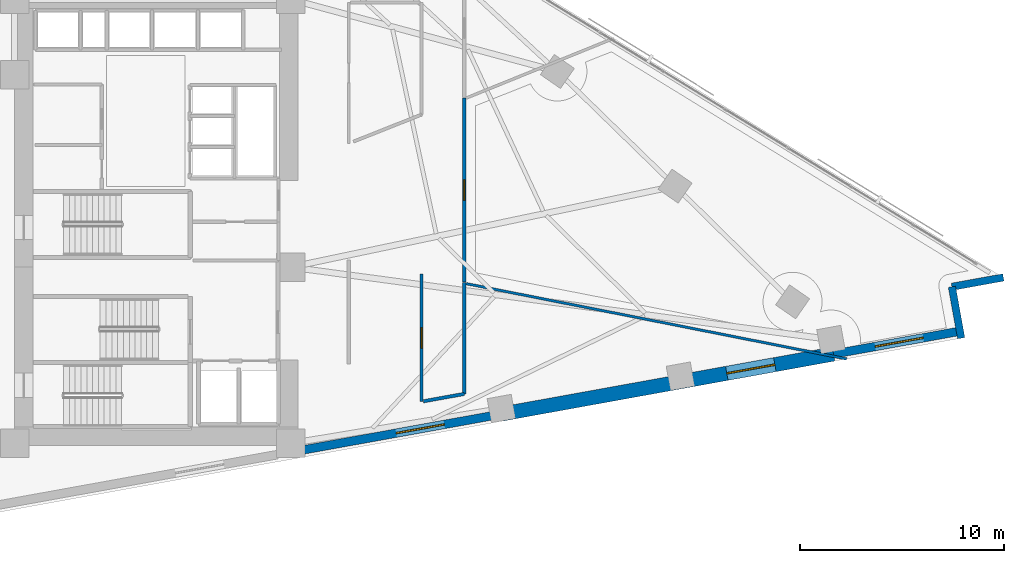
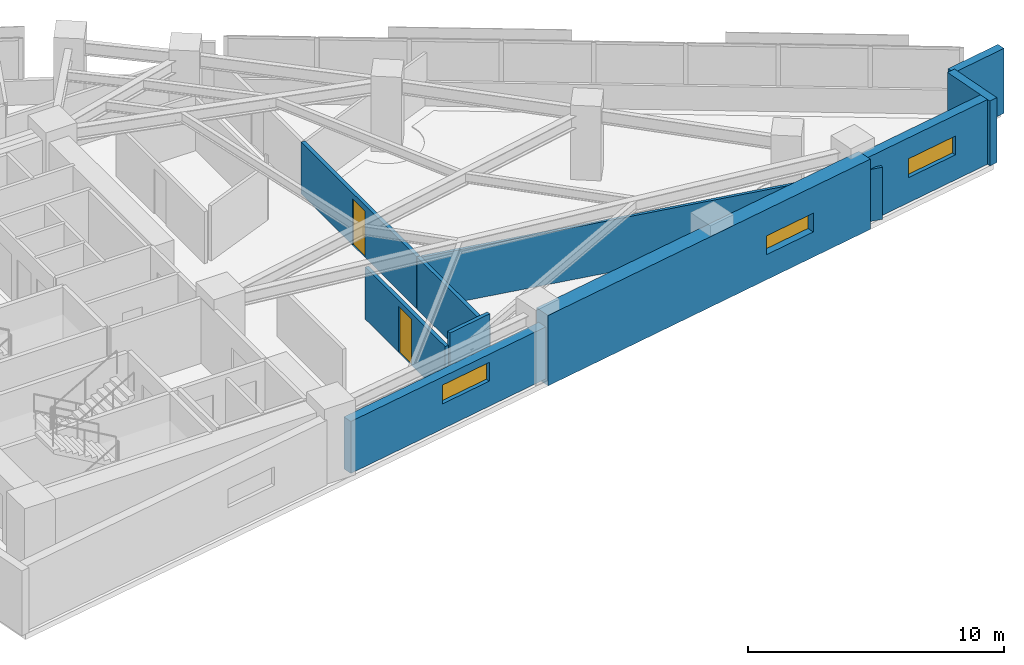
# One storey, part 16 of 20: 10 walls, 3 windows, 2 doors, 5 openings.
"""IFC4 building model written with IfcOpenShell, lengths in metres."""

import ifcopenshell
import ifcopenshell.guid

model = None  # the IFC model being written
_history = None  # IfcOwnerHistory: only IFC2X3 demands one
_inside = {}  # id of a spatial element -> (the spatial element, [elements in it])
_under = {}  # id of a project, library or spatial element -> (it, [spatial elements below it])
_declared = {}  # id of a project -> (the project, [libraries it declares])
_typed = {}  # id of a type object -> (the type object, [elements of that type])
_made_of = {}  # id of a material, layer set ... -> (it, [elements and type objects made of it])


def new_model(schema):
    """Start an empty IFC model of exactly this schema.

    Asked for "IFC4X3", IfcOpenShell would pick the latest addendum, in which some entities
    have other attributes; the version numbers below select the first issue.
    IFC2X3 requires an IfcOwnerHistory on every rooted entity: one is made here for all.
    """
    global model, _history
    if schema == "IFC4X3":
        model = ifcopenshell.file(schema_version=(4, 3, 0, 0))
    else:
        model = ifcopenshell.file(schema=schema)
    _inside.clear()
    _under.clear()
    _declared.clear()
    _typed.clear()
    _made_of.clear()
    _history = None
    if model.schema == "IFC2X3":
        org = make("IfcOrganization", Name="unknown")
        user = make(
            "IfcPersonAndOrganization",
            ThePerson=make("IfcPerson", FamilyName="unknown"),
            TheOrganization=org,
        )
        app = make(
            "IfcApplication",
            ApplicationDeveloper=org,
            Version="unknown",
            ApplicationFullName="unknown",
            ApplicationIdentifier="unknown",
        )
        _history = make(
            "IfcOwnerHistory",
            OwningUser=user,
            OwningApplication=app,
            ChangeAction="ADDED",
            CreationDate=0,
        )
    return model


def make(cls, **values):
    """One entity of the class cls with the attributes given. An attribute that is None is left unset."""
    return model.create_entity(
        cls, **{name: value for name, value in values.items() if value is not None}
    )


def rooted(cls, **values):
    """An entity with a GlobalId (a new one), such as an element, a storey or a relation."""
    return make(cls, GlobalId=ifcopenshell.guid.new(), OwnerHistory=_history, **values)


def si_unit(unit_type, name, prefix=None):
    """IfcSIUnit, for example si_unit("LENGTHUNIT", "METRE", prefix="MILLI")."""
    return make("IfcSIUnit", UnitType=unit_type, Prefix=prefix, Name=name)


def assignment(units):
    """IfcUnitAssignment: the units of a project."""
    return None if units is None else make("IfcUnitAssignment", Units=units)


def point(xyz):
    """IfcCartesianPoint."""
    return None if xyz is None else make("IfcCartesianPoint", Coordinates=xyz)


def direction(xyz):
    """IfcDirection."""
    return None if xyz is None else make("IfcDirection", DirectionRatios=xyz)


def frame(location, z_axis=None, x_axis=None):
    """IfcAxis2Placement3D, a coordinate frame: its origin and axes. An axis left out is left unset."""
    return make(
        "IfcAxis2Placement3D",
        Location=point(location),
        Axis=direction(z_axis),
        RefDirection=direction(x_axis),
    )


def frame_2d(location, x_axis=None):
    """IfcAxis2Placement2D, a coordinate frame in the plane: its origin and x axis."""
    return make(
        "IfcAxis2Placement2D", Location=point(location), RefDirection=direction(x_axis)
    )


def origin():
    """The frame at (0, 0, 0) with its axes left unset."""
    return frame((0.0, 0.0, 0.0))


def place(relative_to, where):
    """IfcLocalPlacement: puts the frame where relative to a parent placement (None: the world)."""
    return make(
        "IfcLocalPlacement", PlacementRelTo=relative_to, RelativePlacement=where
    )


def context(
    kind, dimensions, precision=None, world=None, true_north=None, identifier=None
):
    """IfcGeometricRepresentationContext, for example the 3D "Model" context."""
    return make(
        "IfcGeometricRepresentationContext",
        ContextIdentifier=identifier,
        ContextType=kind,
        CoordinateSpaceDimension=dimensions,
        Precision=precision,
        WorldCoordinateSystem=world,
        TrueNorth=true_north,
    )


def subcontext(parent, identifier, kind, view, scale=None):
    """IfcGeometricRepresentationSubContext, for example "Body" below "Model"."""
    return make(
        "IfcGeometricRepresentationSubContext",
        ContextIdentifier=identifier,
        ContextType=kind,
        ParentContext=parent,
        TargetScale=scale,
        TargetView=view,
    )


def project(units=None, contexts=None):
    """IfcProject with its units and contexts."""
    return rooted(
        "IfcProject",
        Name="project",
        RepresentationContexts=contexts,
        UnitsInContext=assignment(units),
    )


def spatial(cls, under=None, at=None, **own):
    """A site, building, storey or space (cls), placed at a placement, below another one or the project."""
    s = rooted(cls, ObjectPlacement=at, **own)
    if under is not None:
        _under.setdefault(under.id(), (under, []))[1].append(s)
    return s


def profile(cls, at=None, kind="AREA", **sizes):
    """A parametric profile (cls). Its sizes go by their IFC names, for example OverallWidth=200.0."""
    return make(cls, ProfileType=kind, Position=at, **sizes)


def rectangle(**sizes):
    """IfcRectangleProfileDef."""
    return profile("IfcRectangleProfileDef", **sizes)


def extrude(swept, where, along, depth):
    """IfcExtrudedAreaSolid: the profile swept, set in the frame where, extruded along a direction by depth."""
    return make(
        "IfcExtrudedAreaSolid",
        SweptArea=swept,
        Position=where,
        ExtrudedDirection=direction(along),
        Depth=depth,
    )


def shape(context_of_items, identifier, shape_type, items):
    """IfcShapeRepresentation: the items that make up one representation, for example the "Body"."""
    return make(
        "IfcShapeRepresentation",
        ContextOfItems=context_of_items,
        RepresentationIdentifier=identifier,
        RepresentationType=shape_type,
        Items=items,
    )


def material(Name=None, Category=None):
    """IfcMaterial."""
    return make("IfcMaterial", Name=Name, Category=Category)


def layer(
    of_material, thickness, ventilated=None, Name=None, Category=None, Priority=None
):
    """IfcMaterialLayer: one layer of a wall or slab, of a material (None: an air gap)."""
    return make(
        "IfcMaterialLayer",
        Material=of_material,
        LayerThickness=thickness,
        IsVentilated=ventilated,
        Name=Name,
        Category=Category,
        Priority=Priority,
    )


def layer_set(layers, Name=None):
    """IfcMaterialLayerSet."""
    return make("IfcMaterialLayerSet", MaterialLayers=layers, LayerSetName=Name)


def made_of(thing, what):
    """Note that an element or type object is made of a material, layer set ...; save() writes the relation."""
    if what is not None:
        _made_of.setdefault(what.id(), (what, []))[1].append(thing)
    return thing


def type_object(cls, material=None, **own):
    """A type object (cls), such as IfcWallType, which elements share."""
    return made_of(rooted(cls, **own), material)


def element(
    cls,
    number,
    at=None,
    inside=None,
    cuts=None,
    type_object=None,
    material=None,
    context=None,
    identifier="Body",
    shape_type=None,
    held_by="IfcProductDefinitionShape",
    body=None,
    shapes=None,
    **own,
):
    """One element of the class cls, such as IfcWall. Its Tag is "e" and its number.

    at: its placement. inside: the storey or other place that contains it. cuts: it is an
    opening in that element (IfcRelVoidsElement). A single representation is given by context,
    identifier, shape_type and body (its items); several are given by shapes. held_by: the class
    of the entity that holds the representations. save() writes the other relations.
    """
    e = rooted(cls, Tag="e%d" % number, ObjectPlacement=at, **own)
    if body is not None:
        shapes = [shape(context, identifier, shape_type, body)]
    if shapes is not None:
        e.Representation = make(held_by, Representations=shapes)
    if inside is not None:
        _inside.setdefault(inside.id(), (inside, []))[1].append(e)
    if cuts is not None:
        rooted(
            "IfcRelVoidsElement", RelatingBuildingElement=cuts, RelatedOpeningElement=e
        )
    if type_object is not None:
        _typed.setdefault(type_object.id(), (type_object, []))[1].append(e)
    return made_of(e, material)


def fill(opening, filler):
    """IfcRelFillsElement: the door or window that sits in an opening."""
    return rooted(
        "IfcRelFillsElement",
        RelatingOpeningElement=opening,
        RelatedBuildingElement=filler,
    )


def aggregate(whole, parts):
    """IfcRelAggregates: a whole, such as a stair, and the parts it consists of."""
    return rooted("IfcRelAggregates", RelatingObject=whole, RelatedObjects=parts)


def save(model, path):
    """Write the relations noted so far, then the file.

    IfcRelAggregates (storeys below a building ...), IfcRelContainedInSpatialStructure (elements
    in a storey), IfcRelDefinesByType, IfcRelAssociatesMaterial and IfcRelDeclares: one each for
    every whole, place, type object, material and project.
    """
    for whole, parts in _under.values():
        aggregate(whole, parts)
    for where, things in _inside.values():
        rooted(
            "IfcRelContainedInSpatialStructure",
            RelatedElements=things,
            RelatingStructure=where,
        )
    for kind, things in _typed.values():
        rooted("IfcRelDefinesByType", RelatedObjects=things, RelatingType=kind)
    for what, things in _made_of.values():
        rooted("IfcRelAssociatesMaterial", RelatedObjects=things, RelatingMaterial=what)
    for by, libraries in _declared.values():
        rooted("IfcRelDeclares", RelatingContext=by, RelatedDefinitions=libraries)
    model.write(path)


model = new_model("IFC4")

# Units and contexts
model_context = context("Model", 3, precision=1e-05, world=origin(), true_north=direction((0.0, 1.0)))
body_context = subcontext(model_context, "Body", "Model", "MODEL_VIEW")
ifc_project = project(units=[si_unit("LENGTHUNIT", "METRE"), si_unit("AREAUNIT", "SQUARE_METRE"), si_unit("VOLUMEUNIT", "CUBIC_METRE"), si_unit("PLANEANGLEUNIT", "RADIAN"), si_unit("MASSUNIT", "GRAM", prefix="KILO")], contexts=[model_context])

# Site, building, storey
site_placement = place(None, origin())
site = spatial("IfcSite", under=ifc_project, at=site_placement, CompositionType="ELEMENT")
building_placement = place(site_placement, origin())
building = spatial("IfcBuilding", under=site, at=building_placement, Name="Narakoshi Arena Tower", CompositionType="ELEMENT")
storey_placement = place(building_placement, frame((0.0, 0.0, 124.5)))
storey = spatial("IfcBuildingStorey", under=building, at=storey_placement, Name="L33", CompositionType="ELEMENT", Elevation=124.5)

# Wall, opening, door
ifc_material_1 = material(Name="Gypsum plasterboard fire-rated partition")
ifc_layer_1 = layer(ifc_material_1, 0.1650390625)
ifc_layer_set_1 = layer_set([ifc_layer_1], Name="Gypsum plasterboard fire-rated partition")
wall_type_1 = type_object("IfcWallType", Name="WL-CORR-165", PredefinedType="PARTITIONING", material=ifc_layer_set_1)
wall_1_placement = place(storey_placement, frame((91.9736328125, 43.008544921875, 0.0), z_axis=(0.0, 0.0, 1.0), x_axis=(0.0, -1.0, 0.0)))
wall_1 = element("IfcWall", 1, at=wall_1_placement, inside=storey, type_object=wall_type_1, Name="L33 Corridor Partition 02-1", PredefinedType="PARTITIONING", context=body_context, shape_type="SweptSolid", body=[
    extrude(rectangle(XDim=6.25830078125, YDim=0.1650390625, at=frame_2d((3.129150390625, 0.0))), origin(), (0.0, 0.0, 1.0), 2.485107421875),
])
opening_1_placement = place(wall_1_placement, frame((2.629150390625, 0.0, 0.0)))
opening_1 = element("IfcOpeningElement", 2, at=opening_1_placement, cuts=wall_1, Name="Opening D-06", PredefinedType="OPENING", context=body_context, shape_type="SweptSolid", body=[
    extrude(rectangle(XDim=1.0, YDim=2.199951171875, at=frame_2d((0.5, 1.10009765625))), frame((0.0, 0.092529296875, 0.0), z_axis=(0.0, -1.0, 0.0), x_axis=(1.0, 0.0, 0.0)), (0.0, 0.0, 1.0), 0.18505859375),
])
ifc_material_2 = material(Name="Stained oak solid-core timber", Category="wood")
door_type = type_object("IfcDoorType", Name="DR-OFF-1000", OperationType="NOTDEFINED", PredefinedType="DOOR", material=ifc_material_2)
door_1_placement = place(opening_1_placement, frame((1.0, 0.0, 0.0), z_axis=(0.0, 0.0, 1.0), x_axis=(-1.0, 0.0, 0.0)))
door_1 = element("IfcDoor", 3, at=door_1_placement, inside=storey, type_object=door_type, Name="DR-L33-015", OperationType="SINGLE_SWING_RIGHT", OverallHeight=2.199951171875, OverallWidth=1.0, PredefinedType="DOOR", context=body_context, shape_type="SweptSolid", body=[
    extrude(rectangle(XDim=1.0, YDim=2.199951171875, at=frame_2d((0.5, 1.10009765625))), frame((0.0, 0.02490234375, 0.0), z_axis=(0.0, -1.0, 0.0), x_axis=(1.0, 0.0, 0.0)), (0.0, 0.0, 1.0), 0.050048828125),
])
fill(opening_1, door_1)

# Walls
wall_2_placement = place(storey_placement, frame((94.07373046875, 37.130126953125, 0.0), z_axis=(0.0, 0.0, 1.0), x_axis=(0.0, 1.0, 0.0)))
element("IfcWall", 4, at=wall_2_placement, inside=storey, type_object=wall_type_1, Name="L33 Corridor Partition 02-2", PredefinedType="PARTITIONING", context=body_context, shape_type="SweptSolid", body=[
    extrude(rectangle(XDim=5.46728515625, YDim=0.1650390625, at=frame_2d((2.733642578125, 0.0))), origin(), (0.0, 0.0, 1.0), 2.485107421875),
])
wall_3_placement = place(storey_placement, frame((92.068115234375, 36.767333984375, 0.0), z_axis=(0.0, 0.0, 1.0), x_axis=(0.984030502169, 0.177999917982, 0.0)))
element("IfcWall", 5, at=wall_3_placement, inside=storey, type_object=wall_type_1, Name="L33 Corridor Partition 02-4", PredefinedType="PARTITIONING", context=body_context, shape_type="SweptSolid", body=[
    extrude(rectangle(XDim=2.0380859375, YDim=0.1650390625, at=frame_2d((1.01904296875, 0.0))), origin(), (0.0, 0.0, 1.0), 3.10009765625),
])

# Wall, opening, door
wall_4_placement = place(storey_placement, frame((94.07373046875, 42.621826171875, 0.0), z_axis=(0.0, 0.0, 1.0), x_axis=(0.0, 1.0, 0.0)))
wall_4 = element("IfcWall", 6, at=wall_4_placement, inside=storey, type_object=wall_type_1, Name="L33 Corridor Partition 03-1", PredefinedType="PARTITIONING", context=body_context, shape_type="SweptSolid", body=[
    extrude(rectangle(XDim=9.028076171875, YDim=0.1650390625, at=frame_2d((4.51416015625, 0.0))), origin(), (0.0, 0.0, 1.0), 2.485107421875),
])
opening_2_placement = place(wall_4_placement, frame((4.013916015625, 0.0, 0.0)))
opening_2 = element("IfcOpeningElement", 7, at=opening_2_placement, cuts=wall_4, Name="Opening D-06", PredefinedType="OPENING", context=body_context, shape_type="SweptSolid", body=[
    extrude(rectangle(XDim=1.0, YDim=2.199951171875, at=frame_2d((0.5, 1.10009765625))), frame((0.0, 0.092529296875, 0.0), z_axis=(0.0, -1.0, 0.0), x_axis=(1.0, 0.0, 0.0)), (0.0, 0.0, 1.0), 0.18505859375),
])
door_2_placement = place(opening_2_placement, frame((1.0, 0.0, 0.0), z_axis=(0.0, 0.0, 1.0), x_axis=(-1.0, 0.0, 0.0)))
door_2 = element("IfcDoor", 8, at=door_2_placement, inside=storey, type_object=door_type, Name="DR-L33-016", OperationType="SINGLE_SWING_LEFT", OverallHeight=2.199951171875, OverallWidth=1.0, PredefinedType="DOOR", context=body_context, shape_type="SweptSolid", body=[
    extrude(rectangle(XDim=1.0, YDim=2.199951171875, at=frame_2d((0.5, 1.10009765625))), frame((0.0, 0.02490234375, 0.0), z_axis=(0.0, -1.0, 0.0), x_axis=(1.0, 0.0, 0.0)), (0.0, 0.0, 1.0), 0.050048828125),
])
fill(opening_2, door_2)

# Wall, opening, window
ifc_material_3 = material(Name="Concrete C60/75", Category="concrete")
ifc_layer_2 = layer(ifc_material_3, 0.699951171875)
ifc_layer_set_2 = layer_set([ifc_layer_2], Name="Concrete C60/75")
wall_type_2 = type_object("IfcWallType", Name="WL-LEG-700", PredefinedType="SHEAR", material=ifc_layer_set_2)
wall_5_placement = place(storey_placement, frame((95.93798828125, 36.14599609375, -0.260009765625), z_axis=(0.0, 0.0, 1.0), x_axis=(0.984038488288, 0.177955762952, 0.0)))
wall_5 = element("IfcWall", 9, at=wall_5_placement, inside=storey, type_object=wall_type_2, Name="L33 Architectural Concrete Structural Wall LEGA-3", PredefinedType="SHEAR", context=body_context, shape_type="SweptSolid", body=[
    extrude(rectangle(XDim=16.524658203125, YDim=0.699951171875, at=frame_2d((8.26220703125, 0.0))), origin(), (0.0, 0.0, 1.0), 3.360107421875),
])
opening_3_placement = place(wall_5_placement, frame((11.199951171875, 0.0, 1.199951171875)))
opening_3 = element("IfcOpeningElement", 10, at=opening_3_placement, cuts=wall_5, Name="Opening WN-01", PredefinedType="OPENING", context=body_context, shape_type="SweptSolid", body=[
    extrude(rectangle(XDim=2.39990234375, YDim=0.89990234375, at=frame_2d((1.199951171875, 0.449951171875))), frame((0.0, 0.35986328125, 0.0), z_axis=(0.0, -1.0, 0.0), x_axis=(1.0, 0.0, 0.0)), (0.0, 0.0, 1.0), 0.719970703125),
])
ifc_material_4 = material(Name="Bronze-tinted low-E laminated glass", Category="glass")
window_type = type_object("IfcWindowType", Name="WIN-SLT-24x09", PartitioningType="SINGLE_PANEL", PredefinedType="WINDOW", material=ifc_material_4)
window_1_placement = place(opening_3_placement, origin())
window_1 = element("IfcWindow", 11, at=window_1_placement, inside=storey, type_object=window_type, Name="L33 LEGA3 Horizontal Slot Window 1", OverallHeight=0.89990234375, OverallWidth=2.39990234375, PartitioningType="SINGLE_PANEL", PredefinedType="WINDOW", context=body_context, shape_type="SweptSolid", body=[
    extrude(rectangle(XDim=2.39990234375, YDim=0.89990234375, at=frame_2d((1.199951171875, 0.449951171875))), frame((0.0, 0.030029296875, 0.0), z_axis=(0.0, -1.0, 0.0), x_axis=(1.0, 0.0, 0.0)), (0.0, 0.0, 1.0), 0.06005859375),
])
fill(opening_3, window_1)

# Wall
ifc_layer_3 = layer(ifc_material_1, 0.125)
ifc_layer_set_3 = layer_set([ifc_layer_3], Name="Gypsum plasterboard fire-rated partition")
wall_type_3 = type_object("IfcWallType", Name="WL-PART-125", PredefinedType="PARTITIONING", material=ifc_layer_set_3)
wall_6_placement = place(storey_placement, frame((94.168212890625, 42.5419921875, 0.0), z_axis=(0.0, 0.0, 1.0), x_axis=(0.980981620899, -0.194100642602, 0.0)))
element("IfcWall", 12, at=wall_6_placement, inside=storey, type_object=wall_type_3, Name="L33 Inter-Room Partition 02-03", PredefinedType="PARTITIONING", context=body_context, shape_type="SweptSolid", body=[
    extrude(rectangle(XDim=19.03564453125, YDim=0.125, at=frame_2d((9.517822265625, 0.0))), origin(), (0.0, 0.0, 1.0), 2.485107421875),
])

# Wall, opening, window
ifc_material_5 = material(Name="Precast concrete C45/55", Category="concrete")
ifc_layer_4 = layer(ifc_material_5, 0.419921875)
ifc_layer_set_4 = layer_set([ifc_layer_4], Name="Precast concrete C45/55")
wall_type_4 = type_object("IfcWallType", Name="WL-POD-420", PredefinedType="SOLIDWALL", material=ifc_layer_set_4)
wall_7_placement = place(storey_placement, frame((86.10009765625, 34.3671875, 0.0), z_axis=(0.0, 0.0, 1.0), x_axis=(0.9840437071, 0.177926902172, 0.0)))
wall_7 = element("IfcWall", 13, at=wall_7_placement, inside=storey, type_object=wall_type_4, Name="L33 Architectural Concrete Facade Wall LEGA-2", PredefinedType="SOLIDWALL", context=body_context, shape_type="SweptSolid", body=[
    extrude(rectangle(XDim=9.997314453125, YDim=0.419921875, at=frame_2d((4.99853515625, 0.0))), origin(), (0.0, 0.0, 1.0), 2.485107421875),
])
opening_4_placement = place(wall_7_placement, frame((4.702392578125, 0.0, 1.199951171875)))
opening_4 = element("IfcOpeningElement", 14, at=opening_4_placement, cuts=wall_7, Name="Opening WN-01", PredefinedType="OPENING", context=body_context, shape_type="SweptSolid", body=[
    extrude(rectangle(XDim=2.39990234375, YDim=0.89990234375, at=frame_2d((1.199951171875, 0.449951171875))), frame((0.0, 0.219970703125, 0.0), z_axis=(0.0, -1.0, 0.0), x_axis=(1.0, 0.0, 0.0)), (0.0, 0.0, 1.0), 0.43994140625),
])
window_2_placement = place(opening_4_placement, origin())
window_2 = element("IfcWindow", 15, at=window_2_placement, inside=storey, type_object=window_type, Name="L33 LEGA2 Horizontal Slot Window 1", OverallHeight=0.89990234375, OverallWidth=2.39990234375, PartitioningType="SINGLE_PANEL", PredefinedType="WINDOW", context=body_context, shape_type="SweptSolid", body=[
    extrude(rectangle(XDim=2.39990234375, YDim=0.89990234375, at=frame_2d((1.199951171875, 0.449951171875))), frame((0.0, 0.030029296875, 0.0), z_axis=(0.0, -1.0, 0.0), x_axis=(1.0, 0.0, 0.0)), (0.0, 0.0, 1.0), 0.06005859375),
])
fill(opening_4, window_2)

wall_8_placement = place(storey_placement, frame((112.198974609375, 39.086669921875, 0.0), z_axis=(0.0, 0.0, 1.0), x_axis=(0.984042888215, 0.177931431042, 0.0)))
wall_8 = element("IfcWall", 16, at=wall_8_placement, inside=storey, type_object=wall_type_4, Name="L33 Architectural Concrete Facade Wall LEGA-4", PredefinedType="SOLIDWALL", context=body_context, shape_type="SweptSolid", body=[
    extrude(rectangle(XDim=6.30615234375, YDim=0.419921875, at=frame_2d((3.153076171875, 0.0))), origin(), (0.0, 0.0, 1.0), 3.10009765625),
])
opening_5_placement = place(wall_8_placement, frame((2.0751953125, 0.0, 1.199951171875)))
opening_5 = element("IfcOpeningElement", 17, at=opening_5_placement, cuts=wall_8, Name="Opening WN-01", PredefinedType="OPENING", context=body_context, shape_type="SweptSolid", body=[
    extrude(rectangle(XDim=2.39990234375, YDim=0.89990234375, at=frame_2d((1.199951171875, 0.449951171875))), frame((0.0, 0.219970703125, 0.0), z_axis=(0.0, -1.0, 0.0), x_axis=(1.0, 0.0, 0.0)), (0.0, 0.0, 1.0), 0.43994140625),
])
window_3_placement = place(opening_5_placement, origin())
window_3 = element("IfcWindow", 18, at=window_3_placement, inside=storey, type_object=window_type, Name="L33 LEGA4 Horizontal Slot Window 1", OverallHeight=0.89990234375, OverallWidth=2.39990234375, PartitioningType="SINGLE_PANEL", PredefinedType="WINDOW", context=body_context, shape_type="SweptSolid", body=[
    extrude(rectangle(XDim=2.39990234375, YDim=0.89990234375, at=frame_2d((1.199951171875, 0.449951171875))), frame((0.0, 0.030029296875, 0.0), z_axis=(0.0, -1.0, 0.0), x_axis=(1.0, 0.0, 0.0)), (0.0, 0.0, 1.0), 0.06005859375),
])
fill(opening_5, window_3)

# Walls
wall_9_placement = place(storey_placement, frame((118.466796875, 39.8642578125, 0.0), z_axis=(0.0, 0.0, 1.0), x_axis=(-0.177897493713, 0.984049024048, 0.0)))
element("IfcWall", 19, at=wall_9_placement, inside=storey, type_object=wall_type_4, Name="L33 Re-Entrant Corner Notch Wall NTE-1", PredefinedType="SOLIDWALL", context=body_context, shape_type="SweptSolid", body=[
    extrude(rectangle(XDim=2.56640625, YDim=0.360107421875, at=frame_2d((1.283203125, 0.0))), origin(), (0.0, 0.0, 1.0), 3.10009765625),
])
wall_10_placement = place(storey_placement, frame((118.01025390625, 42.3896484375, 0.0), z_axis=(0.0, 0.0, 1.0), x_axis=(0.984046012923, 0.177914149102, 0.0)))
element("IfcWall", 20, at=wall_10_placement, inside=storey, type_object=wall_type_4, Name="L33 Re-Entrant Corner Notch Wall NTE-2", PredefinedType="SOLIDWALL", context=body_context, shape_type="SweptSolid", body=[
    extrude(rectangle(XDim=2.566162109375, YDim=0.360107421875, at=frame_2d((1.283203125, 0.0))), origin(), (0.0, 0.0, 1.0), 3.10009765625),
])

save(model, "model.ifc")
